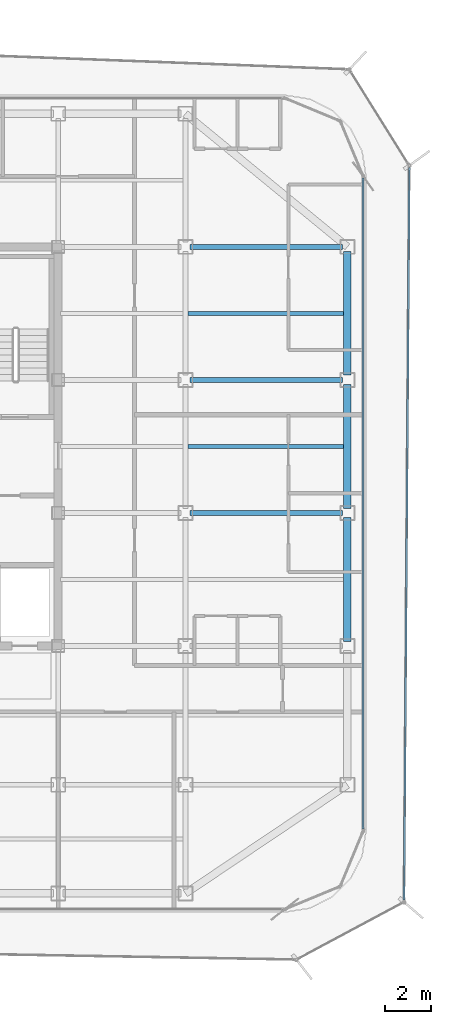
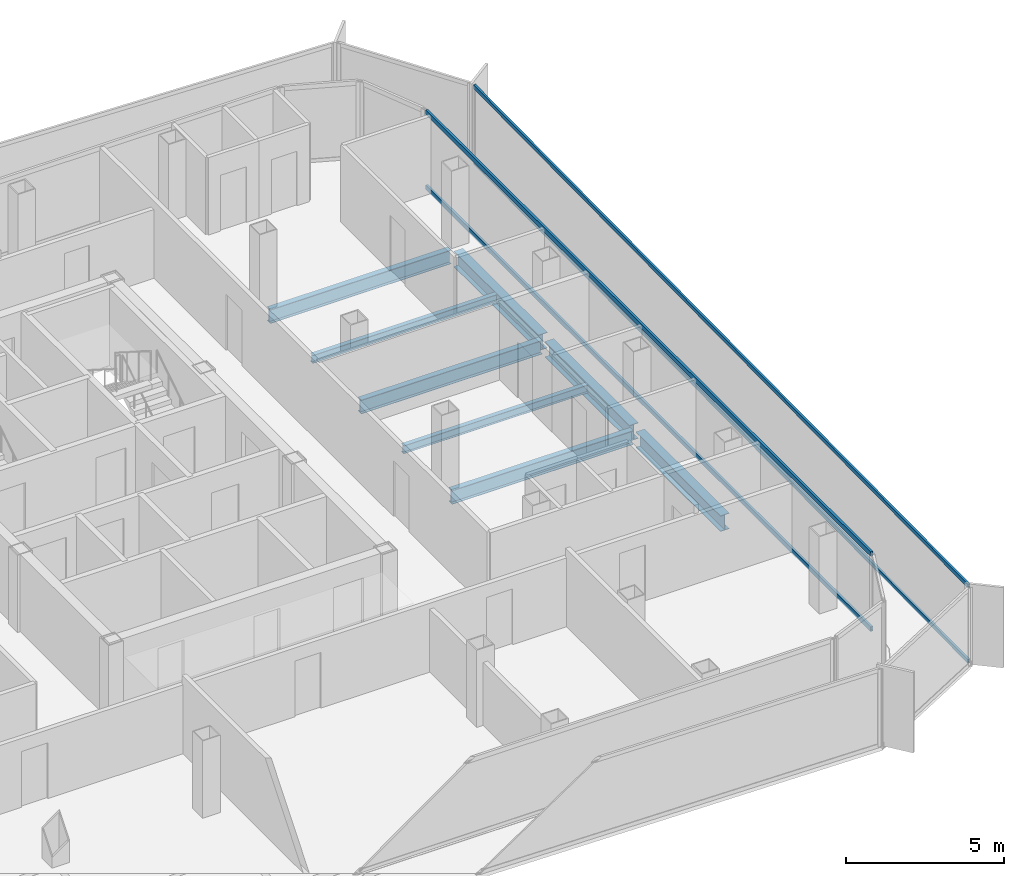
# One storey, part 5 of 15: 8 beams, 4 members, 2 elements without a shape of their own.
"""IFC4 building model written with IfcOpenShell, lengths in metres."""

from ifc_helpers import new_model, si_unit, direction, frame, origin, origin_2d, place, context, subcontext, project, spatial, hollow_rectangle, i_section, extrude, source, transform, mapped, material, layer, layer_set, material_profile, profile_set, type_object, element, aggregate, save


model = new_model("IFC4")

# Units and contexts
model_context = context("Model", 3, precision=1e-05, world=origin(), true_north=direction((0.0, 1.0)))
body_context = subcontext(model_context, "Body", "Model", "MODEL_VIEW")
ifc_project = project(units=[si_unit("LENGTHUNIT", "METRE"), si_unit("AREAUNIT", "SQUARE_METRE"), si_unit("VOLUMEUNIT", "CUBIC_METRE"), si_unit("PLANEANGLEUNIT", "RADIAN"), si_unit("MASSUNIT", "GRAM", prefix="KILO")], contexts=[model_context])

# Site, building, storey
site_placement = place(None, origin())
site = spatial("IfcSite", under=ifc_project, at=site_placement, CompositionType="ELEMENT")
building_placement = place(site_placement, origin())
building = spatial("IfcBuilding", under=site, at=building_placement, Name="Kolveth Station Tower", CompositionType="ELEMENT")
storey_placement = place(building_placement, frame((0.0, 0.0, 229.699951171875)))
storey = spatial("IfcBuildingStorey", under=building, at=storey_placement, Name="L65", CompositionType="ELEMENT", Elevation=229.699951171875)

# Beams
ifc_material_1 = material(Name="Steel S355", Category="steel")
ifc_material_profile_1 = material_profile(ifc_material_1, i_section(OverallWidth=0.323974609375, OverallDepth=0.611083984375, WebThickness=0.0126953125, FlangeThickness=0.01904296875, at=origin_2d()), Name="W610x155")
ifc_profile_set_1 = profile_set([ifc_material_profile_1], Name="Steel S355")
beam_type_1 = type_object("IfcBeamType", Name="Beam_SP2", PredefinedType="SPANDREL", material=ifc_profile_set_1)
shared_shape_1 = source(origin(), body_context, "Body", "SweptSolid", [
    extrude(i_section(OverallWidth=0.323974609375, OverallDepth=0.611083984375, WebThickness=0.0126953125, FlangeThickness=0.01904296875, at=origin_2d()), origin(), (0.0, 0.0, 1.0), 5.35009765625),
])
for number, where, z_axis, x_axis, name in (
    (1, (41.0, 11.699951171875, -0.525390625), (0.0, 1.0, 0.0), (-1.0, 0.0, 0.0), "L65 Perimeter Spandrel BM-L65-PE-2"),
    (2, (41.0, 17.449951171875, -0.525390625), (0.0, 1.0, 0.0), (-1.0, 0.0, 0.0), "L65 Perimeter Spandrel BM-L65-PE-3"),
    (3, (41.0, 23.199951171875, -0.525390625), (0.0, 1.0, 0.0), (-1.0, 0.0, 0.0), "L65 Perimeter Spandrel BM-L65-PE-4"),
):
    element("IfcBeam", number, at=place(storey_placement, frame(where, z_axis=z_axis, x_axis=x_axis)), inside=storey, type_object=beam_type_1, Name=name, PredefinedType="SPANDREL", context=body_context, shape_type="MappedRepresentation", body=[
        mapped(shared_shape_1, transform((0.0, 0.0, 0.0), x_axis=(1.0, 0.0, 0.0), y_axis=(0.0, 1.0, 0.0), z_axis=(0.0, 0.0, 1.0), scale=1.0)),
    ])
ifc_material_profile_2 = material_profile(ifc_material_1, i_section(OverallWidth=0.2099609375, OverallDepth=0.537109375, WebThickness=0.010986328125, FlangeThickness=0.017333984375, at=origin_2d()), Name="W530x101")
ifc_profile_set_2 = profile_set([ifc_material_profile_2], Name="Steel S355")
beam_type_2 = type_object("IfcBeamType", Name="Beam_B6", PredefinedType="BEAM", material=ifc_profile_set_2)
shared_shape_2 = source(origin(), body_context, "Body", "SweptSolid", [
    extrude(i_section(OverallWidth=0.2099609375, OverallDepth=0.537109375, WebThickness=0.010986328125, FlangeThickness=0.017333984375, at=origin_2d()), origin(), (0.0, 0.0, 1.0), 6.60009765625),
])
for number, where, z_axis, x_axis, name in (
    (4, (34.199951171875, 17.25, -0.488525390625), (1.0, 0.0, 0.0), (0.0, 1.0, 0.0), "L65 Primary Girder BM-L65-GY172-5"),
    (5, (34.199951171875, 23.0, -0.488525390625), (1.0, 0.0, 0.0), (0.0, 1.0, 0.0), "L65 Primary Girder BM-L65-GY230-5"),
    (6, (34.199951171875, 28.75, -0.488525390625), (1.0, 0.0, 0.0), (0.0, 1.0, 0.0), "L65 Primary Girder BM-L65-GY287-5"),
):
    element("IfcBeam", number, at=place(storey_placement, frame(where, z_axis=z_axis, x_axis=x_axis)), inside=storey, type_object=beam_type_2, Name=name, PredefinedType="BEAM", context=body_context, shape_type="MappedRepresentation", body=[
        mapped(shared_shape_2, transform((0.0, 0.0, 0.0), x_axis=(1.0, 0.0, 0.0), y_axis=(0.0, 1.0, 0.0), z_axis=(0.0, 0.0, 1.0), scale=1.0)),
    ])
ifc_material_profile_3 = material_profile(ifc_material_1, i_section(OverallWidth=0.1650390625, OverallDepth=0.31005859375, WebThickness=0.005859375, FlangeThickness=0.009765625, at=origin_2d()), Name="W310x39")
ifc_profile_set_3 = profile_set([ifc_material_profile_3], Name="Steel S355")
beam_type_3 = type_object("IfcBeamType", Name="Beam_J3", PredefinedType="JOIST", material=ifc_profile_set_3)
shared_shape_3 = source(origin(), body_context, "Body", "SweptSolid", [
    extrude(i_section(OverallWidth=0.1650390625, OverallDepth=0.31005859375, WebThickness=0.005859375, FlangeThickness=0.009765625, at=origin_2d()), origin(), (0.0, 0.0, 1.0), 6.737060546875),
])
for number, where, z_axis, x_axis, name in (
    (7, (34.10302734375, 20.125, -0.375), (1.0, 0.0, 0.0), (0.0, 1.0, 0.0), "L65 Secondary Joist JST-L65-5-4"),
    (8, (34.10302734375, 25.875, -0.375), (1.0, 0.0, 0.0), (0.0, 1.0, 0.0), "L65 Secondary Joist JST-L65-5-5"),
):
    element("IfcBeam", number, at=place(storey_placement, frame(where, z_axis=z_axis, x_axis=x_axis)), inside=storey, type_object=beam_type_3, Name=name, PredefinedType="JOIST", context=body_context, shape_type="MappedRepresentation", body=[
        mapped(shared_shape_3, transform((0.0, 0.0, 0.0), x_axis=(1.0, 0.0, 0.0), y_axis=(0.0, 1.0, 0.0), z_axis=(0.0, 0.0, 1.0), scale=1.0)),
    ])

# Curtain wall, members
ifc_material_2 = material(Name="Aluminium 6063-T6 and triple low-E dark glass", Category="aluminium")
ifc_layer_1 = layer(ifc_material_2, 0.199951171875)
ifc_layer_set_1 = layer_set([ifc_layer_1], Name="Aluminium 6063-T6 and triple low-E dark glass")
curtain_wall_type_1 = type_object("IfcCurtainWallType", Name="CurtainWall_CW-Z3", PredefinedType="NOTDEFINED", material=ifc_layer_set_1)
curtain_wall_1_placement = place(storey_placement, origin())
curtain_wall_1 = element("IfcCurtainWall", 9, at=curtain_wall_1_placement, inside=storey, type_object=curtain_wall_type_1, Name="L65 Inner Thermal Curtain Wall 3", PredefinedType="NOTDEFINED")
ifc_material_3 = material(Name="Black anodized aluminium 6063-T6", Category="aluminium")
ifc_material_profile_4 = material_profile(ifc_material_3, hollow_rectangle(XDim=0.0849609375, YDim=0.179931640625, WallThickness=0.0048828125, at=origin_2d()), Name="ALU-85x180x5")
ifc_profile_set_4 = profile_set([ifc_material_profile_4], Name="Black anodized aluminium 6063-T6")
member_type_1 = type_object("IfcMemberType", Name="Transom_TR3", PredefinedType="USERDEFINED", material=ifc_profile_set_4)
shared_shape_4 = source(origin(), body_context, "Body", "SweptSolid", [
    extrude(hollow_rectangle(XDim=0.0849609375, YDim=0.179931640625, WallThickness=0.0048828125, at=origin_2d()), origin(), (0.0, 0.0, 1.0), 28.130126953125),
])
member_1_placement = place(storey_placement, frame((41.679931640625, 3.5849609375, 0.04248046875), z_axis=(0.0, 1.0, 0.0), x_axis=(-1.0, 0.0, 0.0)))
member_1 = element("IfcMember", 10, at=member_1_placement, type_object=member_type_1, Name="CW-Z3 transom 1.1", ObjectType="TRANSOM", PredefinedType="USERDEFINED", context=body_context, shape_type="MappedRepresentation", body=[
    mapped(shared_shape_4, transform((0.0, 0.0, 0.0), x_axis=(1.0, 0.0, 0.0), y_axis=(0.0, 1.0, 0.0), z_axis=(0.0, 0.0, 1.0), scale=1.0)),
])
member_2_placement = place(storey_placement, frame((41.679931640625, 3.5849609375, 2.9375), z_axis=(0.0, 1.0, 0.0), x_axis=(-1.0, 0.0, 0.0)))
member_2 = element("IfcMember", 11, at=member_2_placement, type_object=member_type_1, Name="CW-Z3 transom 1.2", ObjectType="TRANSOM", PredefinedType="USERDEFINED", context=body_context, shape_type="MappedRepresentation", body=[
    mapped(shared_shape_4, transform((0.0, 0.0, 0.0), x_axis=(1.0, 0.0, 0.0), y_axis=(0.0, 1.0, 0.0), z_axis=(0.0, 0.0, 1.0), scale=1.0)),
])
aggregate(curtain_wall_1, [member_1, member_2])

ifc_material_4 = material(Name="Black anodized aluminium 6063-T6 and dark solar glass", Category="aluminium")
ifc_layer_2 = layer(ifc_material_4, 0.159912109375)
ifc_layer_set_2 = layer_set([ifc_layer_2], Name="Black anodized aluminium 6063-T6 and dark solar glass")
curtain_wall_type_2 = type_object("IfcCurtainWallType", Name="OUTER SKIN CW-OS", PredefinedType="NOTDEFINED", material=ifc_layer_set_2)
curtain_wall_2_placement = place(storey_placement, origin())
curtain_wall_2 = element("IfcCurtainWall", 12, at=curtain_wall_2_placement, inside=storey, type_object=curtain_wall_type_2, Name="L65 Outer Ventilated Skin Curtain Wall 2", PredefinedType="NOTDEFINED")
ifc_material_profile_5 = material_profile(ifc_material_3, hollow_rectangle(XDim=0.080078125, YDim=0.14990234375, WallThickness=0.0048828125, at=origin_2d()), Name="ALU-80x150x5")
ifc_profile_set_5 = profile_set([ifc_material_profile_5], Name="Black anodized aluminium 6063-T6")
member_type_2 = type_object("IfcMemberType", Name="Transom_TR-OS", PredefinedType="USERDEFINED", material=ifc_profile_set_5)
shared_shape_5 = source(origin(), body_context, "Body", "SweptSolid", [
    extrude(hollow_rectangle(XDim=0.080078125, YDim=0.14990234375, WallThickness=0.0048828125, at=origin_2d()), origin(), (0.0, 0.0, 1.0), 31.655517578125),
])
member_3_placement = place(storey_placement, frame((43.45166015625, 0.5185546875, 0.0400390625), z_axis=(0.007187955414, 0.999974166315, 0.0), x_axis=(-0.999974166315, 0.007187955414, 0.0)))
member_3 = element("IfcMember", 13, at=member_3_placement, type_object=member_type_2, Name="CW-OS transom 1.1", ObjectType="TRANSOM", PredefinedType="USERDEFINED", context=body_context, shape_type="MappedRepresentation", body=[
    mapped(shared_shape_5, transform((0.0, 0.0, 0.0), x_axis=(1.0, 0.0, 0.0), y_axis=(0.0, 1.0, 0.0), z_axis=(0.0, 0.0, 1.0), scale=1.0)),
])
member_4_placement = place(storey_placement, frame((43.45166015625, 0.5185546875, 2.949951171875), z_axis=(0.007187955414, 0.999974166315, 0.0), x_axis=(-0.999974166315, 0.007187955414, 0.0)))
member_4 = element("IfcMember", 14, at=member_4_placement, type_object=member_type_2, Name="CW-OS transom 1.2", ObjectType="TRANSOM", PredefinedType="USERDEFINED", context=body_context, shape_type="MappedRepresentation", body=[
    mapped(shared_shape_5, transform((0.0, 0.0, 0.0), x_axis=(1.0, 0.0, 0.0), y_axis=(0.0, 1.0, 0.0), z_axis=(0.0, 0.0, 1.0), scale=1.0)),
])
aggregate(curtain_wall_2, [member_3, member_4])

save(model, "model.ifc")
